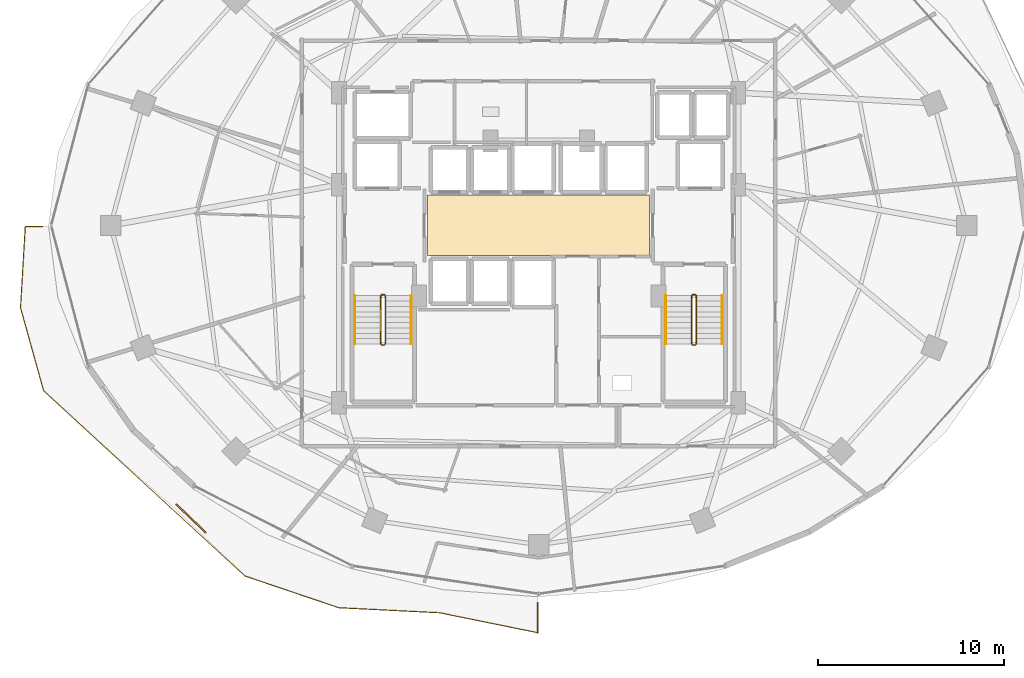
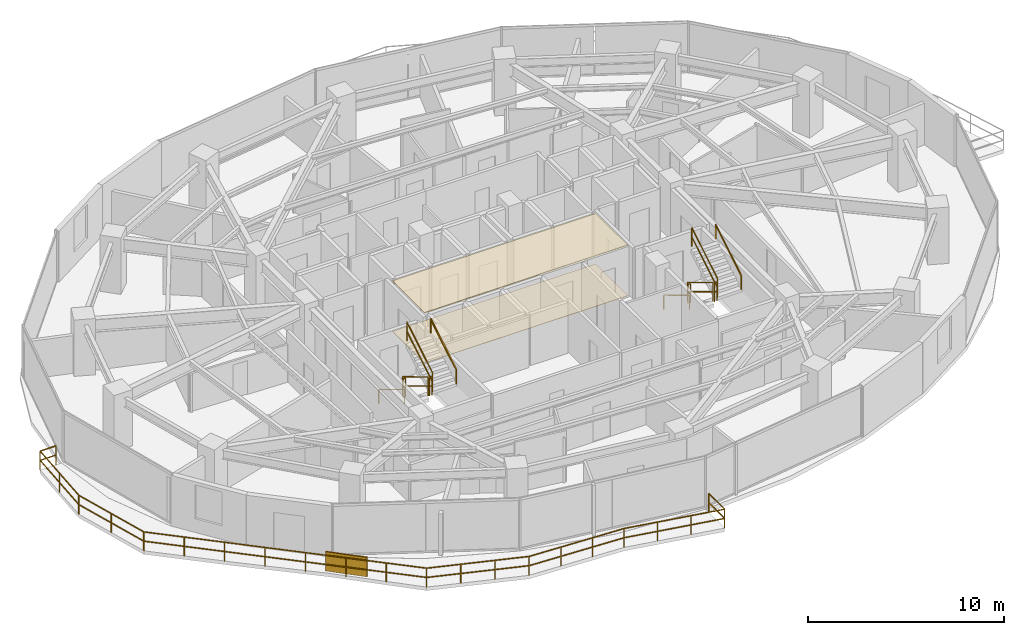
# One storey, part 27 of 29: 14 railings, 2 coverings, 1 shading device.
"""IFC4 building model written with IfcOpenShell, lengths in metres."""

from ifc_helpers import new_model, si_unit, direction, frame, origin, origin_2d, place, context, subcontext, project, spatial, polyline, rectangle, outline, extrude, material, layer, layer_set, type_object, element, save


model = new_model("IFC4")

# Units and contexts
model_context = context("Model", 3, precision=1e-05, world=origin(), true_north=direction((0.0, 1.0)))
body_context = subcontext(model_context, "Body", "Model", "MODEL_VIEW")
ifc_project = project(units=[si_unit("LENGTHUNIT", "METRE"), si_unit("AREAUNIT", "SQUARE_METRE"), si_unit("VOLUMEUNIT", "CUBIC_METRE"), si_unit("PLANEANGLEUNIT", "RADIAN"), si_unit("MASSUNIT", "GRAM", prefix="KILO")], contexts=[model_context])

# Site, building, storey
site_placement = place(None, origin())
site = spatial("IfcSite", under=ifc_project, at=site_placement, CompositionType="ELEMENT")
building_placement = place(site_placement, origin())
building = spatial("IfcBuilding", under=site, at=building_placement, Name="Vorneva Point Tower", CompositionType="ELEMENT")
storey_placement = place(building_placement, frame((0.0, 0.0, 120.800048828125)))
storey = spatial("IfcBuildingStorey", under=building, at=storey_placement, Name="L32", CompositionType="ELEMENT", Elevation=120.800048828125)

# Coverings
ifc_material_1 = material(Name="Perforated acoustic aluminium baffle ceiling", Category="aluminium")
ifc_layer_1 = layer(ifc_material_1, 0.030029296875)
ifc_layer_set_1 = layer_set([ifc_layer_1], Name="Perforated acoustic aluminium baffle ceiling")
covering_type_1 = type_object("IfcCoveringType", Name="COV-CEIL-BAF", PredefinedType="CEILING", material=ifc_layer_set_1)
covering_1_placement = place(storey_placement, frame((0.0, 0.0, 3.119873046875)))
element("IfcCovering", 1, at=covering_1_placement, inside=storey, type_object=covering_type_1, Name="L32 Lift Lobby Acoustic Baffle Ceiling", PredefinedType="CEILING", context=body_context, shape_type="SweptSolid", body=[
    extrude(outline(polyline([(32.02001953125, 24.3701171875), (43.97998046875, 24.3701171875), (43.97998046875, 27.6298828125), (32.02001953125, 27.6298828125), (32.02001953125, 24.3701171875)])), origin(), (0.0, 0.0, 1.0), 0.03515625),
])
ifc_material_2 = material(Name="Acoustic wool hospitality carpet", Category="textile")
ifc_layer_2 = layer(ifc_material_2, 0.01806640625)
ifc_layer_set_2 = layer_set([ifc_layer_2], Name="Acoustic wool hospitality carpet")
covering_type_2 = type_object("IfcCoveringType", Name="COV-FLR-CRP", PredefinedType="FLOORING", material=ifc_layer_set_2)
covering_2_placement = place(storey_placement, frame((0.0, 0.0, -0.005126953125)))
element("IfcCovering", 2, at=covering_2_placement, inside=storey, type_object=covering_type_2, Name="L32 Lift Lobby Floor Finish", PredefinedType="FLOORING", context=body_context, shape_type="SweptSolid", body=[
    extrude(outline(polyline([(32.02001953125, 24.3701171875), (43.97998046875, 24.3701171875), (43.97998046875, 27.6298828125), (32.02001953125, 27.6298828125), (32.02001953125, 24.3701171875)])), origin(), (0.0, 0.0, 1.0), 0.023193359375),
])

# Railings
ifc_material_3 = material(Name="Pale anodised aluminium", Category="aluminium")
railing_type_1 = type_object("IfcRailingType", Name="RL-BAL-1200", PredefinedType="BALUSTRADE", material=ifc_material_3)
railing_1_placement = place(storey_placement, frame((37.949951171875, 4.060302734375, 0.0)))
element("IfcRailing", 3, at=railing_1_placement, inside=storey, type_object=railing_type_1, Name="L32 Wave Balcony Balustrade SW.1", PredefinedType="BALUSTRADE", context=body_context, shape_type="SweptSolid", body=[
    extrude(rectangle(XDim=0.048095703125, YDim=0.048095703125, at=origin_2d()), frame((0.0, 0.0, 1.17578125), z_axis=(0.0, 1.0, 0.0), x_axis=(-1.0, 0.0, 0.0)), (0.0, 0.0, 1.0), 1.62255859375),
    extrude(rectangle(XDim=0.048095703125, YDim=0.048095703125, at=origin_2d()), frame((0.0, 0.0, 0.60009765625), z_axis=(0.0, 1.0, 0.0), x_axis=(-1.0, 0.0, 0.0)), (0.0, 0.0, 1.0), 1.62255859375),
    extrude(rectangle(XDim=0.0419921875, YDim=0.0419921875, at=origin_2d()), origin(), (0.0, 0.0, 1.0), 1.15185546875),
    extrude(rectangle(XDim=0.0419921875, YDim=0.0419921875, at=origin_2d()), frame((0.0, 1.62255859375, 0.0)), (0.0, 0.0, 1.0), 1.15185546875),
])
railing_2_placement = place(storey_placement, frame((11.28369140625, 25.949951171875, 0.0)))
element("IfcRailing", 4, at=railing_2_placement, inside=storey, type_object=railing_type_1, Name="L32 Wave Balcony Balustrade SW.2", PredefinedType="BALUSTRADE", context=body_context, shape_type="SweptSolid", body=[
    extrude(rectangle(XDim=0.048095703125, YDim=0.048095703125, at=origin_2d()), frame((0.0, 0.0, 1.17578125), z_axis=(-1.0, 0.0, 0.0), x_axis=(0.0, -1.0, 0.0)), (0.0, 0.0, 1.0), 0.9365234375),
    extrude(rectangle(XDim=0.048095703125, YDim=0.048095703125, at=origin_2d()), frame((0.0, 0.0, 0.60009765625), z_axis=(-1.0, 0.0, 0.0), x_axis=(0.0, -1.0, 0.0)), (0.0, 0.0, 1.0), 0.9365234375),
    extrude(rectangle(XDim=0.048095703125, YDim=0.048095703125, at=origin_2d()), frame((-0.9365234375, 0.0, 1.17578125), z_axis=(-0.058793756589, -0.998270150904, 0.0), x_axis=(0.998270150904, -0.058793756589, 0.0)), (0.0, 0.0, 1.0), 4.38916015625),
    extrude(rectangle(XDim=0.048095703125, YDim=0.048095703125, at=origin_2d()), frame((-0.9365234375, 0.0, 0.60009765625), z_axis=(-0.058793756589, -0.998270150904, 0.0), x_axis=(0.998270150904, -0.058793756589, 0.0)), (0.0, 0.0, 1.0), 4.38916015625),
    extrude(rectangle(XDim=0.048095703125, YDim=0.048095703125, at=origin_2d()), frame((-1.194580078125, -4.381591796875, 1.17578125), z_axis=(0.267871946418, -0.963454524263, 0.0), x_axis=(0.963454524263, 0.267871946418, 0.0)), (0.0, 0.0, 1.0), 4.63720703125),
    extrude(rectangle(XDim=0.048095703125, YDim=0.048095703125, at=origin_2d()), frame((-1.194580078125, -4.381591796875, 0.60009765625), z_axis=(0.267871946418, -0.963454524263, 0.0), x_axis=(0.963454524263, 0.267871946418, 0.0)), (0.0, 0.0, 1.0), 4.63720703125),
    extrude(rectangle(XDim=0.048095703125, YDim=0.048095703125, at=origin_2d()), frame((0.047607421875, -8.849365234375, 1.17578125), z_axis=(0.735947501629, -0.677038606614, 0.0), x_axis=(0.677038606614, 0.735947501629, 0.0)), (0.0, 0.0, 1.0), 14.75390625),
    extrude(rectangle(XDim=0.048095703125, YDim=0.048095703125, at=origin_2d()), frame((0.047607421875, -8.849365234375, 0.60009765625), z_axis=(0.735947501629, -0.677038606614, 0.0), x_axis=(0.677038606614, 0.735947501629, 0.0)), (0.0, 0.0, 1.0), 14.75390625),
    extrude(rectangle(XDim=0.048095703125, YDim=0.048095703125, at=origin_2d()), frame((10.90576171875, -18.83837890625, 1.17578125), z_axis=(0.947317253015, -0.320296771979, 0.0), x_axis=(0.320296771979, 0.947317253015, 0.0)), (0.0, 0.0, 1.0), 5.32421875),
    extrude(rectangle(XDim=0.048095703125, YDim=0.048095703125, at=origin_2d()), frame((10.90576171875, -18.83837890625, 0.60009765625), z_axis=(0.947317253015, -0.320296771979, 0.0), x_axis=(0.320296771979, 0.947317253015, 0.0)), (0.0, 0.0, 1.0), 5.32421875),
    extrude(rectangle(XDim=0.048095703125, YDim=0.048095703125, at=origin_2d()), frame((15.949462890625, -20.543701171875, 1.17578125), z_axis=(0.998753906669, -0.049906251251, 0.0), x_axis=(0.049906251251, 0.998753906669, 0.0)), (0.0, 0.0, 1.0), 5.43505859375),
    extrude(rectangle(XDim=0.048095703125, YDim=0.048095703125, at=origin_2d()), frame((15.949462890625, -20.543701171875, 0.60009765625), z_axis=(0.998753906669, -0.049906251251, 0.0), x_axis=(0.049906251251, 0.998753906669, 0.0)), (0.0, 0.0, 1.0), 5.43505859375),
    extrude(rectangle(XDim=0.048095703125, YDim=0.048095703125, at=origin_2d()), frame((21.377685546875, -20.81494140625, 1.17578125), z_axis=(0.97997049327, -0.199142743578, 0.0), x_axis=(0.199142743578, 0.97997049327, 0.0)), (0.0, 0.0, 1.0), 5.396728515625),
    extrude(rectangle(XDim=0.048095703125, YDim=0.048095703125, at=origin_2d()), frame((21.377685546875, -20.81494140625, 0.60009765625), z_axis=(0.97997049327, -0.199142743578, 0.0), x_axis=(0.199142743578, 0.97997049327, 0.0)), (0.0, 0.0, 1.0), 5.396728515625),
    extrude(rectangle(XDim=0.0419921875, YDim=0.0419921875, at=origin_2d()), origin(), (0.0, 0.0, 1.0), 1.15185546875),
    extrude(rectangle(XDim=0.0419921875, YDim=0.0419921875, at=origin_2d()), frame((-0.9365234375, 0.0, 0.0)), (0.0, 0.0, 1.0), 1.15185546875),
    extrude(rectangle(XDim=0.0419921875, YDim=0.0419921875, at=origin_2d()), frame((-1.0654296875, -2.19091796875, 0.0)), (0.0, 0.0, 1.0), 1.15185546875),
    extrude(rectangle(XDim=0.0419921875, YDim=0.0419921875, at=origin_2d()), frame((-1.194580078125, -4.381591796875, 0.0)), (0.0, 0.0, 1.0), 1.15185546875),
    extrude(rectangle(XDim=0.0419921875, YDim=0.0419921875, at=origin_2d()), frame((-0.573486328125, -6.615478515625, 0.0)), (0.0, 0.0, 1.0), 1.15185546875),
    extrude(rectangle(XDim=0.0419921875, YDim=0.0419921875, at=origin_2d()), frame((0.047607421875, -8.849365234375, 0.0)), (0.0, 0.0, 1.0), 1.15185546875),
    extrude(rectangle(XDim=0.0419921875, YDim=0.0419921875, at=origin_2d()), frame((1.598876953125, -10.2763671875, 0.0)), (0.0, 0.0, 1.0), 1.15185546875),
    extrude(rectangle(XDim=0.0419921875, YDim=0.0419921875, at=origin_2d()), frame((3.14990234375, -11.703369140625, 0.0)), (0.0, 0.0, 1.0), 1.15185546875),
    extrude(rectangle(XDim=0.0419921875, YDim=0.0419921875, at=origin_2d()), frame((4.701171875, -13.13037109375, 0.0)), (0.0, 0.0, 1.0), 1.15185546875),
    extrude(rectangle(XDim=0.0419921875, YDim=0.0419921875, at=origin_2d()), frame((6.252197265625, -14.557373046875, 0.0)), (0.0, 0.0, 1.0), 1.15185546875),
    extrude(rectangle(XDim=0.0419921875, YDim=0.0419921875, at=origin_2d()), frame((7.803466796875, -15.984375, 0.0)), (0.0, 0.0, 1.0), 1.15185546875),
    extrude(rectangle(XDim=0.0419921875, YDim=0.0419921875, at=origin_2d()), frame((9.3544921875, -17.411376953125, 0.0)), (0.0, 0.0, 1.0), 1.15185546875),
    extrude(rectangle(XDim=0.0419921875, YDim=0.0419921875, at=origin_2d()), frame((10.90576171875, -18.83837890625, 0.0)), (0.0, 0.0, 1.0), 1.15185546875),
    extrude(rectangle(XDim=0.0419921875, YDim=0.0419921875, at=origin_2d()), frame((12.5869140625, -19.40673828125, 0.0)), (0.0, 0.0, 1.0), 1.15185546875),
    extrude(rectangle(XDim=0.0419921875, YDim=0.0419921875, at=origin_2d()), frame((14.268310546875, -19.975341796875, 0.0)), (0.0, 0.0, 1.0), 1.15185546875),
    extrude(rectangle(XDim=0.0419921875, YDim=0.0419921875, at=origin_2d()), frame((15.949462890625, -20.543701171875, 0.0)), (0.0, 0.0, 1.0), 1.15185546875),
    extrude(rectangle(XDim=0.0419921875, YDim=0.0419921875, at=origin_2d()), frame((17.7587890625, -20.634033203125, 0.0)), (0.0, 0.0, 1.0), 1.15185546875),
    extrude(rectangle(XDim=0.0419921875, YDim=0.0419921875, at=origin_2d()), frame((19.568359375, -20.724609375, 0.0)), (0.0, 0.0, 1.0), 1.15185546875),
    extrude(rectangle(XDim=0.0419921875, YDim=0.0419921875, at=origin_2d()), frame((21.377685546875, -20.81494140625, 0.0)), (0.0, 0.0, 1.0), 1.15185546875),
    extrude(rectangle(XDim=0.0419921875, YDim=0.0419921875, at=origin_2d()), frame((23.140625, -21.173095703125, 0.0)), (0.0, 0.0, 1.0), 1.15185546875),
    extrude(rectangle(XDim=0.0419921875, YDim=0.0419921875, at=origin_2d()), frame((24.9033203125, -21.531494140625, 0.0)), (0.0, 0.0, 1.0), 1.15185546875),
    extrude(rectangle(XDim=0.0419921875, YDim=0.0419921875, at=origin_2d()), frame((26.666259765625, -21.8896484375, 0.0)), (0.0, 0.0, 1.0), 1.15185546875),
])
ifc_material_4 = material(Name="Brushed stainless steel S304", Category="steel")
railing_type_2 = type_object("IfcRailingType", Name="RL-HND-920", PredefinedType="HANDRAIL", material=ifc_material_4)
railing_3_placement = place(storey_placement, frame((28.10009765625, 22.219970703125, 0.175048828125)))
element("IfcRailing", 5, at=railing_3_placement, inside=storey, type_object=railing_type_2, Name="L32 ST1 stair handrail 1", PredefinedType="HANDRAIL", context=body_context, shape_type="SweptSolid", body=[
    extrude(rectangle(XDim=0.048095703125, YDim=0.048095703125, at=origin_2d()), frame((0.0, 0.0, 0.8759765625), z_axis=(0.0, -0.85618277418, 0.516673066065), x_axis=(1.0, 0.0, 0.0)), (0.0, 0.0, 1.0), 3.04833984375),
    extrude(rectangle(XDim=0.0419921875, YDim=0.0419921875, at=origin_2d()), origin(), (0.0, 0.0, 1.0), 0.851806640625),
    extrude(rectangle(XDim=0.0419921875, YDim=0.0419921875, at=origin_2d()), frame((0.0, -2.60986328125, 1.574951171875)), (0.0, 0.0, 1.0), 0.851806640625),
])
railing_4_placement = place(storey_placement, frame((31.14990234375, 19.610107421875, 1.925048828125)))
element("IfcRailing", 6, at=railing_4_placement, inside=storey, type_object=railing_type_2, Name="L32 ST1 stair handrail 2", PredefinedType="HANDRAIL", context=body_context, shape_type="SweptSolid", body=[
    extrude(rectangle(XDim=0.048095703125, YDim=0.048095703125, at=origin_2d()), frame((0.0, 0.0, 0.8759765625), z_axis=(0.0, 0.85618277418, 0.516673066065), x_axis=(-1.0, 0.0, 0.0)), (0.0, 0.0, 1.0), 3.04833984375),
    extrude(rectangle(XDim=0.0419921875, YDim=0.0419921875, at=origin_2d()), origin(), (0.0, 0.0, 1.0), 0.851806640625),
    extrude(rectangle(XDim=0.0419921875, YDim=0.0419921875, at=origin_2d()), frame((0.0, 2.60986328125, 1.574951171875)), (0.0, 0.0, 1.0), 0.851806640625),
])
railing_5_placement = place(storey_placement, frame((44.85009765625, 22.219970703125, 0.175048828125)))
element("IfcRailing", 7, at=railing_5_placement, inside=storey, type_object=railing_type_2, Name="L32 ST2 stair handrail 1", PredefinedType="HANDRAIL", context=body_context, shape_type="SweptSolid", body=[
    extrude(rectangle(XDim=0.048095703125, YDim=0.048095703125, at=origin_2d()), frame((0.0, 0.0, 0.8759765625), z_axis=(0.0, -0.85618277418, 0.516673066065), x_axis=(1.0, 0.0, 0.0)), (0.0, 0.0, 1.0), 3.04833984375),
    extrude(rectangle(XDim=0.0419921875, YDim=0.0419921875, at=origin_2d()), origin(), (0.0, 0.0, 1.0), 0.851806640625),
    extrude(rectangle(XDim=0.0419921875, YDim=0.0419921875, at=origin_2d()), frame((0.0, -2.60986328125, 1.574951171875)), (0.0, 0.0, 1.0), 0.851806640625),
])
railing_6_placement = place(storey_placement, frame((47.89990234375, 19.610107421875, 1.925048828125)))
element("IfcRailing", 8, at=railing_6_placement, inside=storey, type_object=railing_type_2, Name="L32 ST2 stair handrail 2", PredefinedType="HANDRAIL", context=body_context, shape_type="SweptSolid", body=[
    extrude(rectangle(XDim=0.048095703125, YDim=0.048095703125, at=origin_2d()), frame((0.0, 0.0, 0.8759765625), z_axis=(0.0, 0.85618277418, 0.516673066065), x_axis=(-1.0, 0.0, 0.0)), (0.0, 0.0, 1.0), 3.04833984375),
    extrude(rectangle(XDim=0.0419921875, YDim=0.0419921875, at=origin_2d()), origin(), (0.0, 0.0, 1.0), 0.851806640625),
    extrude(rectangle(XDim=0.0419921875, YDim=0.0419921875, at=origin_2d()), frame((0.0, 2.60986328125, 1.574951171875)), (0.0, 0.0, 1.0), 0.851806640625),
])
railing_type_3 = type_object("IfcRailingType", Name="RL-STG-1100", PredefinedType="GUARDRAIL", material=ifc_material_4)
railing_7_placement = place(storey_placement, frame((29.5, 22.219970703125, 0.175048828125)))
element("IfcRailing", 9, at=railing_7_placement, inside=storey, type_object=railing_type_3, Name="L32 ST1 stair guard 1", PredefinedType="GUARDRAIL", context=body_context, shape_type="SweptSolid", body=[
    extrude(rectangle(XDim=0.048095703125, YDim=0.048095703125, at=origin_2d()), frame((0.0, 0.0, 1.17578125), z_axis=(0.0, -0.85618277418, 0.516673066065), x_axis=(1.0, 0.0, 0.0)), (0.0, 0.0, 1.0), 3.04833984375),
    extrude(rectangle(XDim=0.048095703125, YDim=0.048095703125, at=origin_2d()), frame((0.0, 0.0, 0.60009765625), z_axis=(0.0, -0.85618277418, 0.516673066065), x_axis=(1.0, 0.0, 0.0)), (0.0, 0.0, 1.0), 3.04833984375),
    extrude(rectangle(XDim=0.0419921875, YDim=0.0419921875, at=origin_2d()), origin(), (0.0, 0.0, 1.0), 1.15185546875),
    extrude(rectangle(XDim=0.0419921875, YDim=0.0419921875, at=origin_2d()), frame((0.0, -2.60986328125, 1.574951171875)), (0.0, 0.0, 1.0), 1.15185546875),
])
railing_8_placement = place(storey_placement, frame((29.550048828125, 19.56005859375, 1.75)))
element("IfcRailing", 10, at=railing_8_placement, inside=storey, type_object=railing_type_3, Name="L32 ST1 stair guard 2", PredefinedType="GUARDRAIL", context=body_context, shape_type="SweptSolid", body=[
    extrude(rectangle(XDim=0.048095703125, YDim=0.048095703125, at=origin_2d()), frame((0.0, 0.0, 1.17578125), z_axis=(1.0, 0.0, 0.0), x_axis=(0.0, 1.0, 0.0)), (0.0, 0.0, 1.0), 0.14990234375),
    extrude(rectangle(XDim=0.048095703125, YDim=0.048095703125, at=origin_2d()), frame((0.0, 0.0, 0.60009765625), z_axis=(1.0, 0.0, 0.0), x_axis=(0.0, 1.0, 0.0)), (0.0, 0.0, 1.0), 0.14990234375),
    extrude(rectangle(XDim=0.0419921875, YDim=0.0419921875, at=origin_2d()), origin(), (0.0, 0.0, 1.0), 1.15185546875),
    extrude(rectangle(XDim=0.0419921875, YDim=0.0419921875, at=origin_2d()), frame((0.14990234375, 0.0, 0.0)), (0.0, 0.0, 1.0), 1.15185546875),
])
railing_9_placement = place(storey_placement, frame((29.75, 19.610107421875, 1.925048828125)))
element("IfcRailing", 11, at=railing_9_placement, inside=storey, type_object=railing_type_3, Name="L32 ST1 stair guard 3", PredefinedType="GUARDRAIL", context=body_context, shape_type="SweptSolid", body=[
    extrude(rectangle(XDim=0.048095703125, YDim=0.048095703125, at=origin_2d()), frame((0.0, 0.0, 1.17578125), z_axis=(0.0, 0.85618277418, 0.516673066065), x_axis=(-1.0, 0.0, 0.0)), (0.0, 0.0, 1.0), 3.04833984375),
    extrude(rectangle(XDim=0.048095703125, YDim=0.048095703125, at=origin_2d()), frame((0.0, 0.0, 0.60009765625), z_axis=(0.0, 0.85618277418, 0.516673066065), x_axis=(-1.0, 0.0, 0.0)), (0.0, 0.0, 1.0), 3.04833984375),
    extrude(rectangle(XDim=0.0419921875, YDim=0.0419921875, at=origin_2d()), origin(), (0.0, 0.0, 1.0), 1.15185546875),
    extrude(rectangle(XDim=0.0419921875, YDim=0.0419921875, at=origin_2d()), frame((0.0, 2.60986328125, 1.574951171875)), (0.0, 0.0, 1.0), 1.15185546875),
])
railing_10_placement = place(storey_placement, frame((29.550048828125, 22.27001953125, 0.0)))
element("IfcRailing", 12, at=railing_10_placement, inside=storey, type_object=railing_type_3, Name="L32 ST1 stair guard 4", PredefinedType="GUARDRAIL", context=body_context, shape_type="SweptSolid", body=[
    extrude(rectangle(XDim=0.048095703125, YDim=0.048095703125, at=origin_2d()), frame((0.0, 0.0, 1.17578125), z_axis=(1.0, 0.0, 0.0), x_axis=(0.0, 1.0, 0.0)), (0.0, 0.0, 1.0), 0.14990234375),
    extrude(rectangle(XDim=0.048095703125, YDim=0.048095703125, at=origin_2d()), frame((0.0, 0.0, 0.60009765625), z_axis=(1.0, 0.0, 0.0), x_axis=(0.0, 1.0, 0.0)), (0.0, 0.0, 1.0), 0.14990234375),
    extrude(rectangle(XDim=0.0419921875, YDim=0.0419921875, at=origin_2d()), origin(), (0.0, 0.0, 1.0), 1.15185546875),
    extrude(rectangle(XDim=0.0419921875, YDim=0.0419921875, at=origin_2d()), frame((0.14990234375, 0.0, 0.0)), (0.0, 0.0, 1.0), 1.15185546875),
])
railing_11_placement = place(storey_placement, frame((46.25, 22.219970703125, 0.175048828125)))
element("IfcRailing", 13, at=railing_11_placement, inside=storey, type_object=railing_type_3, Name="L32 ST2 stair guard 1", PredefinedType="GUARDRAIL", context=body_context, shape_type="SweptSolid", body=[
    extrude(rectangle(XDim=0.048095703125, YDim=0.048095703125, at=origin_2d()), frame((0.0, 0.0, 1.17578125), z_axis=(0.0, -0.85618277418, 0.516673066065), x_axis=(1.0, 0.0, 0.0)), (0.0, 0.0, 1.0), 3.04833984375),
    extrude(rectangle(XDim=0.048095703125, YDim=0.048095703125, at=origin_2d()), frame((0.0, 0.0, 0.60009765625), z_axis=(0.0, -0.85618277418, 0.516673066065), x_axis=(1.0, 0.0, 0.0)), (0.0, 0.0, 1.0), 3.04833984375),
    extrude(rectangle(XDim=0.0419921875, YDim=0.0419921875, at=origin_2d()), origin(), (0.0, 0.0, 1.0), 1.15185546875),
    extrude(rectangle(XDim=0.0419921875, YDim=0.0419921875, at=origin_2d()), frame((0.0, -2.60986328125, 1.574951171875)), (0.0, 0.0, 1.0), 1.15185546875),
])
railing_12_placement = place(storey_placement, frame((46.300048828125, 19.56005859375, 1.75)))
element("IfcRailing", 14, at=railing_12_placement, inside=storey, type_object=railing_type_3, Name="L32 ST2 stair guard 2", PredefinedType="GUARDRAIL", context=body_context, shape_type="SweptSolid", body=[
    extrude(rectangle(XDim=0.048095703125, YDim=0.048095703125, at=origin_2d()), frame((0.0, 0.0, 1.17578125), z_axis=(1.0, 0.0, 0.0), x_axis=(0.0, 1.0, 0.0)), (0.0, 0.0, 1.0), 0.14990234375),
    extrude(rectangle(XDim=0.048095703125, YDim=0.048095703125, at=origin_2d()), frame((0.0, 0.0, 0.60009765625), z_axis=(1.0, 0.0, 0.0), x_axis=(0.0, 1.0, 0.0)), (0.0, 0.0, 1.0), 0.14990234375),
    extrude(rectangle(XDim=0.0419921875, YDim=0.0419921875, at=origin_2d()), origin(), (0.0, 0.0, 1.0), 1.15185546875),
    extrude(rectangle(XDim=0.0419921875, YDim=0.0419921875, at=origin_2d()), frame((0.14990234375, 0.0, 0.0)), (0.0, 0.0, 1.0), 1.15185546875),
])
railing_13_placement = place(storey_placement, frame((46.5, 19.610107421875, 1.925048828125)))
element("IfcRailing", 15, at=railing_13_placement, inside=storey, type_object=railing_type_3, Name="L32 ST2 stair guard 3", PredefinedType="GUARDRAIL", context=body_context, shape_type="SweptSolid", body=[
    extrude(rectangle(XDim=0.048095703125, YDim=0.048095703125, at=origin_2d()), frame((0.0, 0.0, 1.17578125), z_axis=(0.0, 0.85618277418, 0.516673066065), x_axis=(-1.0, 0.0, 0.0)), (0.0, 0.0, 1.0), 3.04833984375),
    extrude(rectangle(XDim=0.048095703125, YDim=0.048095703125, at=origin_2d()), frame((0.0, 0.0, 0.60009765625), z_axis=(0.0, 0.85618277418, 0.516673066065), x_axis=(-1.0, 0.0, 0.0)), (0.0, 0.0, 1.0), 3.04833984375),
    extrude(rectangle(XDim=0.0419921875, YDim=0.0419921875, at=origin_2d()), origin(), (0.0, 0.0, 1.0), 1.15185546875),
    extrude(rectangle(XDim=0.0419921875, YDim=0.0419921875, at=origin_2d()), frame((0.0, 2.60986328125, 1.574951171875)), (0.0, 0.0, 1.0), 1.15185546875),
])
railing_14_placement = place(storey_placement, frame((46.300048828125, 22.27001953125, 0.0)))
element("IfcRailing", 16, at=railing_14_placement, inside=storey, type_object=railing_type_3, Name="L32 ST2 stair guard 4", PredefinedType="GUARDRAIL", context=body_context, shape_type="SweptSolid", body=[
    extrude(rectangle(XDim=0.048095703125, YDim=0.048095703125, at=origin_2d()), frame((0.0, 0.0, 1.17578125), z_axis=(1.0, 0.0, 0.0), x_axis=(0.0, 1.0, 0.0)), (0.0, 0.0, 1.0), 0.14990234375),
    extrude(rectangle(XDim=0.048095703125, YDim=0.048095703125, at=origin_2d()), frame((0.0, 0.0, 0.60009765625), z_axis=(1.0, 0.0, 0.0), x_axis=(0.0, 1.0, 0.0)), (0.0, 0.0, 1.0), 0.14990234375),
    extrude(rectangle(XDim=0.0419921875, YDim=0.0419921875, at=origin_2d()), origin(), (0.0, 0.0, 1.0), 1.15185546875),
    extrude(rectangle(XDim=0.0419921875, YDim=0.0419921875, at=origin_2d()), frame((0.14990234375, 0.0, 0.0)), (0.0, 0.0, 1.0), 1.15185546875),
])

# Shading device
shading_device_type = type_object("IfcShadingDeviceType", Name="SHD-JAL-1200", PredefinedType="JALOUSIE", material=ifc_material_3)
shading_device_placement = place(storey_placement, frame((19.26904296875, 10.21875, -0.02001953125), z_axis=(0.0, 0.0, 1.0), x_axis=(0.721349375015, -0.692571353122, 0.0)))
element("IfcShadingDevice", 17, at=shading_device_placement, inside=storey, type_object=shading_device_type, Name="L32 Balcony Vertical-Greenery Planter Screen SW.2", PredefinedType="JALOUSIE", context=body_context, shape_type="SweptSolid", body=[
    extrude(rectangle(XDim=2.199951171875, YDim=0.080078125, at=origin_2d()), origin(), (0.0, 0.0, 1.0), 1.199951171875),
])

save(model, "model.ifc")
